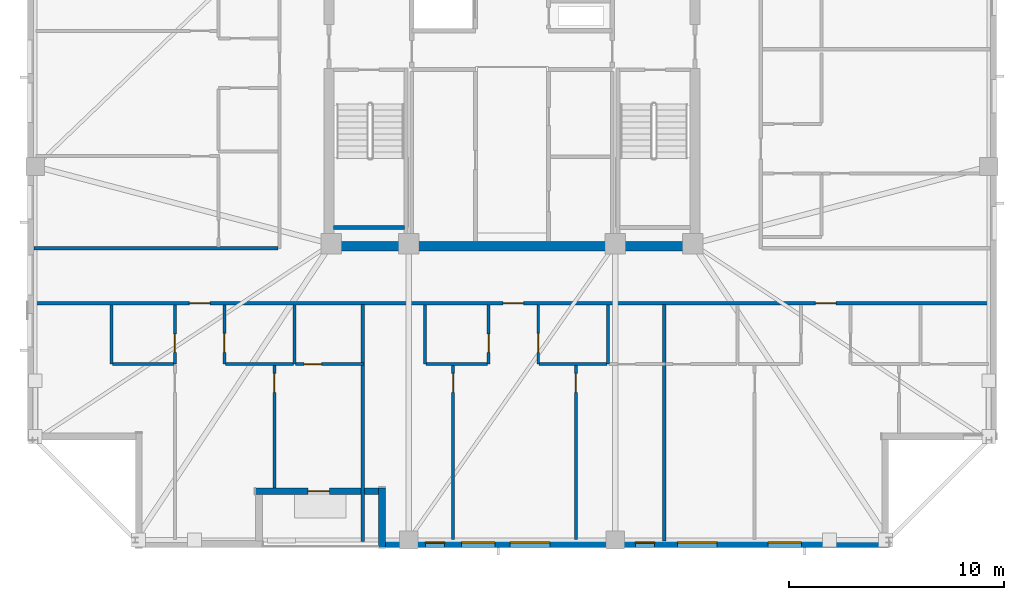
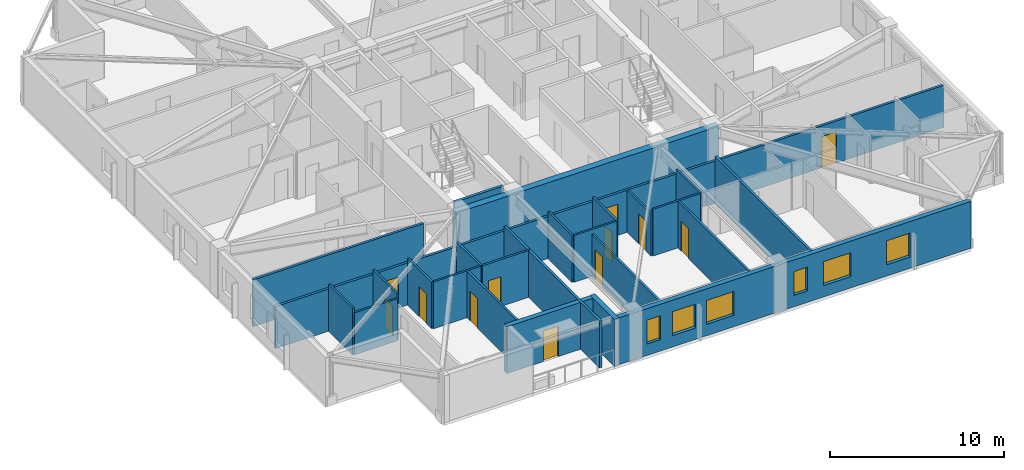
# One storey, part 7 of 17: 25 walls, 12 doors, 6 windows, 18 openings.
"""IFC4 building model written with IfcOpenShell, lengths in metres."""

from ifc_helpers import new_model, si_unit, direction, frame, frame_2d, origin, place, context, subcontext, project, spatial, rectangle, extrude, material, layer, layer_set, type_object, element, fill, save


model = new_model("IFC4")

# Units and contexts
model_context = context("Model", 3, precision=1e-05, world=origin(), true_north=direction((0.0, 1.0)))
body_context = subcontext(model_context, "Body", "Model", "MODEL_VIEW")
ifc_project = project(units=[si_unit("LENGTHUNIT", "METRE"), si_unit("AREAUNIT", "SQUARE_METRE"), si_unit("VOLUMEUNIT", "CUBIC_METRE"), si_unit("PLANEANGLEUNIT", "RADIAN"), si_unit("MASSUNIT", "GRAM", prefix="KILO")], contexts=[model_context])

# Site, building, storey
site_placement = place(None, origin())
site = spatial("IfcSite", under=ifc_project, at=site_placement, CompositionType="ELEMENT")
building_placement = place(site_placement, origin())
building = spatial("IfcBuilding", under=site, at=building_placement, Name="Cairnveth Concourse Tower", CompositionType="ELEMENT")
storey_placement = place(building_placement, frame((0.0, 0.0, 262.0)))
storey = spatial("IfcBuildingStorey", under=building, at=storey_placement, Name="L72", CompositionType="ELEMENT", Elevation=262.0)

# Wall, openings, doors
ifc_material_1 = material(Name="Gypsum Plasterboard Partition", Category="gypsum")
ifc_layer_1 = layer(ifc_material_1, 0.159912109375)
ifc_layer_set_1 = layer_set([ifc_layer_1], Name="Gypsum Plasterboard Partition")
wall_type_1 = type_object("IfcWallType", Name="ACOUSTIC PARTY WALL 180", PredefinedType="PARTITIONING", material=ifc_layer_set_1)
wall_1_placement = place(storey_placement, frame((29.804931640625, 27.847412109375, 0.0), z_axis=(0.0, 0.0, 1.0), x_axis=(1.0, 0.0, 0.0)))
wall_1 = element("IfcWall", 1, at=wall_1_placement, inside=storey, type_object=wall_type_1, Name="Interior Wall IW-L72-034", PredefinedType="PARTITIONING", context=body_context, shape_type="SweptSolid", body=[
    extrude(rectangle(XDim=44.39013671875, YDim=0.159912109375, at=frame_2d((22.195068359375, 0.0))), origin(), (0.0, 0.0, 1.0), 2.9580078125),
])
opening_1_placement = place(wall_1_placement, frame((7.206298828125, 0.0, 0.0)))
opening_1 = element("IfcOpeningElement", 2, at=opening_1_placement, cuts=wall_1, Name="Opening ID10", PredefinedType="OPENING", context=body_context, shape_type="SweptSolid", body=[
    extrude(rectangle(XDim=0.9599609375, YDim=2.179931640625, at=frame_2d((0.47998046875, 1.08984375))), frame((0.0, 0.08984375, 0.0), z_axis=(0.0, -1.0, 0.0), x_axis=(1.0, 0.0, 0.0)), (0.0, 0.0, 1.0), 0.179931640625),
])
opening_2_placement = place(wall_1_placement, frame((21.780029296875, 0.0, 0.0)))
opening_2 = element("IfcOpeningElement", 3, at=opening_2_placement, cuts=wall_1, Name="Opening ID10", PredefinedType="OPENING", context=body_context, shape_type="SweptSolid", body=[
    extrude(rectangle(XDim=0.9599609375, YDim=2.179931640625, at=frame_2d((0.47998046875, 1.08984375))), frame((0.0, 0.08984375, 0.0), z_axis=(0.0, -1.0, 0.0), x_axis=(1.0, 0.0, 0.0)), (0.0, 0.0, 1.0), 0.179931640625),
])
opening_3_placement = place(wall_1_placement, frame((36.288818359375, 0.0, 0.0)))
opening_3 = element("IfcOpeningElement", 4, at=opening_3_placement, cuts=wall_1, Name="Opening ID10", PredefinedType="OPENING", context=body_context, shape_type="SweptSolid", body=[
    extrude(rectangle(XDim=0.9599609375, YDim=2.179931640625, at=frame_2d((0.47998046875, 1.08984375))), frame((0.0, 0.08984375, 0.0), z_axis=(0.0, -1.0, 0.0), x_axis=(1.0, 0.0, 0.0)), (0.0, 0.0, 1.0), 0.179931640625),
])
ifc_material_2 = material(Name="Solid Core Hardwood Timber Leaf", Category="wood")
door_type_1 = type_object("IfcDoorType", Name="FLAT ENTRANCE DOOR 960X2150", OperationType="NOTDEFINED", PredefinedType="DOOR", material=ifc_material_2)
door_1_placement = place(opening_1_placement, origin())
door_1 = element("IfcDoor", 5, at=door_1_placement, inside=storey, type_object=door_type_1, Name="Apartment L72S1 Entrance Door", OperationType="SINGLE_SWING_RIGHT", OverallHeight=2.179931640625, OverallWidth=0.9599609375, PredefinedType="DOOR", context=body_context, shape_type="SweptSolid", body=[
    extrude(rectangle(XDim=0.9599609375, YDim=2.179931640625, at=frame_2d((0.47998046875, 1.08984375))), frame((0.0, 0.02490234375, 0.0), z_axis=(0.0, -1.0, 0.0), x_axis=(1.0, 0.0, 0.0)), (0.0, 0.0, 1.0), 0.050048828125),
])
fill(opening_1, door_1)
door_2_placement = place(opening_2_placement, origin())
door_2 = element("IfcDoor", 6, at=door_2_placement, inside=storey, type_object=door_type_1, Name="Apartment L72S2 Entrance Door", OperationType="SINGLE_SWING_RIGHT", OverallHeight=2.179931640625, OverallWidth=0.9599609375, PredefinedType="DOOR", context=body_context, shape_type="SweptSolid", body=[
    extrude(rectangle(XDim=0.9599609375, YDim=2.179931640625, at=frame_2d((0.47998046875, 1.08984375))), frame((0.0, 0.02490234375, 0.0), z_axis=(0.0, -1.0, 0.0), x_axis=(1.0, 0.0, 0.0)), (0.0, 0.0, 1.0), 0.050048828125),
])
fill(opening_2, door_2)
door_3_placement = place(opening_3_placement, origin())
door_3 = element("IfcDoor", 7, at=door_3_placement, inside=storey, type_object=door_type_1, Name="Apartment L72S3 Entrance Door", OperationType="SINGLE_SWING_LEFT", OverallHeight=2.179931640625, OverallWidth=0.9599609375, PredefinedType="DOOR", context=body_context, shape_type="SweptSolid", body=[
    extrude(rectangle(XDim=0.9599609375, YDim=2.179931640625, at=frame_2d((0.47998046875, 1.08984375))), frame((0.0, 0.02490234375, 0.0), z_axis=(0.0, -1.0, 0.0), x_axis=(1.0, 0.0, 0.0)), (0.0, 0.0, 1.0), 0.050048828125),
])
fill(opening_3, door_3)

# Walls
wall_2_placement = place(storey_placement, frame((29.804931640625, 30.39990234375, 0.0), z_axis=(0.0, 0.0, 1.0), x_axis=(1.0, 0.0, 0.0)))
element("IfcWall", 8, at=wall_2_placement, inside=storey, type_object=wall_type_1, Name="Interior Wall IW-L72-038", PredefinedType="PARTITIONING", context=body_context, shape_type="SweptSolid", body=[
    extrude(rectangle(XDim=11.330078125, YDim=0.159912109375, at=frame_2d((5.6650390625, 0.0))), origin(), (0.0, 0.0, 1.0), 3.2900390625),
])
wall_3_placement = place(storey_placement, frame((45.0625, 16.77001953125, 0.0), z_axis=(0.0, 0.0, 1.0), x_axis=(0.0, 1.0, 0.0)))
element("IfcWall", 9, at=wall_3_placement, inside=storey, type_object=wall_type_1, Name="Interior Wall IW-L72-051", PredefinedType="PARTITIONING", context=body_context, shape_type="SweptSolid", body=[
    extrude(rectangle(XDim=11.012451171875, YDim=0.159912109375, at=frame_2d((5.50634765625, 0.0))), origin(), (0.0, 0.0, 1.0), 3.2900390625),
])
wall_4_placement = place(storey_placement, frame((59.0673828125, 16.804931640625, 0.0), z_axis=(0.0, 0.0, 1.0), x_axis=(0.0, 1.0, 0.0)))
element("IfcWall", 10, at=wall_4_placement, inside=storey, type_object=wall_type_1, Name="Interior Wall IW-L72-061", PredefinedType="PARTITIONING", context=body_context, shape_type="SweptSolid", body=[
    extrude(rectangle(XDim=10.9775390625, YDim=0.159912109375, at=frame_2d((5.48876953125, 0.0))), origin(), (0.0, 0.0, 1.0), 3.2900390625),
])
ifc_material_3 = material(Name="Concrete N65 (65 MPa)", Category="concrete")
ifc_layer_2 = layer(ifc_material_3, 0.449951171875)
ifc_layer_set_2 = layer_set([ifc_layer_2], Name="Concrete N65 (65 MPa)")
wall_type_2 = type_object("IfcWallType", Name="CORE SHEAR WALL 450", PredefinedType="SHEAR", material=ifc_layer_set_2)
wall_5_placement = place(storey_placement, frame((43.27490234375, 30.5, 0.0), z_axis=(0.0, 0.0, 1.0), x_axis=(1.0, 0.0, 0.0)))
element("IfcWall", 11, at=wall_5_placement, inside=storey, type_object=wall_type_2, Name="Core South Shear Wall L72", PredefinedType="SHEAR", context=body_context, shape_type="SweptSolid", body=[
    extrude(rectangle(XDim=17.4501953125, YDim=0.449951171875, at=frame_2d((8.72509765625, 0.0))), origin(), (0.0, 0.0, 1.0), 3.2900390625),
])
ifc_material_4 = material(Name="Concrete N50 (50 MPa)", Category="concrete")
ifc_layer_3 = layer(ifc_material_4, 0.179931640625)
ifc_layer_set_3 = layer_set([ifc_layer_3], Name="Concrete N50 (50 MPa)")
wall_type_3 = type_object("IfcWallType", Name="FIRE SHAFT WALL 180", PredefinedType="SOLIDWALL", material=ifc_layer_set_3)
wall_6_placement = place(storey_placement, frame((43.715087890625, 31.360107421875, 0.0), z_axis=(0.0, 0.0, 1.0), x_axis=(1.0, 0.0, 0.0)))
element("IfcWall", 12, at=wall_6_placement, inside=storey, type_object=wall_type_3, Name="Stair ST-1 Shaft Wall FAR L72", PredefinedType="SOLIDWALL", context=body_context, shape_type="SweptSolid", body=[
    extrude(rectangle(XDim=3.280029296875, YDim=0.179931640625, at=frame_2d((1.64013671875, 0.0))), origin(), (0.0, 0.0, 1.0), 3.2900390625),
])

# Wall, opening, door
ifc_layer_4 = layer(ifc_material_1, 0.139892578125)
ifc_layer_set_4 = layer_set([ifc_layer_4], Name="Gypsum Plasterboard Partition")
wall_type_4 = type_object("IfcWallType", Name="GYPSUM STUD PARTITION 140", PredefinedType="PARTITIONING", material=ifc_layer_set_4)
wall_7_placement = place(storey_placement, frame((40.96240234375, 19.2548828125, 0.0), z_axis=(0.0, 0.0, 1.0), x_axis=(0.0, 1.0, 0.0)))
wall_7 = element("IfcWall", 13, at=wall_7_placement, inside=storey, type_object=wall_type_4, Name="Interior Wall IW-L72-049", PredefinedType="PARTITIONING", context=body_context, shape_type="SweptSolid", body=[
    extrude(rectangle(XDim=5.712646484375, YDim=0.139892578125, at=frame_2d((2.8564453125, 0.0))), origin(), (0.0, 0.0, 1.0), 3.2900390625),
])
opening_4_placement = place(wall_7_placement, frame((4.452392578125, 0.0, 0.0)))
opening_4 = element("IfcOpeningElement", 14, at=opening_4_placement, cuts=wall_7, Name="Opening ID18", PredefinedType="OPENING", context=body_context, shape_type="SweptSolid", body=[
    extrude(rectangle(XDim=0.8798828125, YDim=2.10009765625, at=frame_2d((0.43994140625, 1.050048828125))), frame((0.0, 0.079833984375, 0.0), z_axis=(0.0, -1.0, 0.0), x_axis=(1.0, 0.0, 0.0)), (0.0, 0.0, 1.0), 0.159912109375),
])
door_type_2 = type_object("IfcDoorType", Name="INTERIOR SINGLE DOOR 880X2100", OperationType="NOTDEFINED", PredefinedType="DOOR", material=ifc_material_2)
door_4_placement = place(opening_4_placement, origin())
door_4 = element("IfcDoor", 15, at=door_4_placement, inside=storey, type_object=door_type_2, Name="L72S1 Bedroom 2 Door", OperationType="SINGLE_SWING_LEFT", OverallHeight=2.10009765625, OverallWidth=0.8798828125, PredefinedType="DOOR", context=body_context, shape_type="SweptSolid", body=[
    extrude(rectangle(XDim=0.8798828125, YDim=2.10009765625, at=frame_2d((0.43994140625, 1.050048828125))), frame((0.0, 0.02490234375, 0.0), z_axis=(0.0, -1.0, 0.0), x_axis=(1.0, 0.0, 0.0)), (0.0, 0.0, 1.0), 0.050048828125),
])
fill(opening_4, door_4)

wall_8_placement = place(storey_placement, frame((41.941162109375, 25.017578125, 0.0), z_axis=(0.0, 0.0, 1.0), x_axis=(1.0, 0.0, 0.0)))
wall_8 = element("IfcWall", 16, at=wall_8_placement, inside=storey, type_object=wall_type_4, Name="Interior Wall IW-L72-050", PredefinedType="PARTITIONING", context=body_context, shape_type="SweptSolid", body=[
    extrude(rectangle(XDim=3.17138671875, YDim=0.139892578125, at=frame_2d((1.585693359375, 0.0))), origin(), (0.0, 0.0, 1.0), 3.2900390625),
])
opening_5_placement = place(wall_8_placement, frame((0.39990234375, 0.0, 0.0)))
opening_5 = element("IfcOpeningElement", 17, at=opening_5_placement, cuts=wall_8, Name="Opening ID22", PredefinedType="OPENING", context=body_context, shape_type="SweptSolid", body=[
    extrude(rectangle(XDim=0.820068359375, YDim=2.10009765625, at=frame_2d((0.41015625, 1.050048828125))), frame((0.0, 0.079833984375, 0.0), z_axis=(0.0, -1.0, 0.0), x_axis=(1.0, 0.0, 0.0)), (0.0, 0.0, 1.0), 0.159912109375),
])
door_type_3 = type_object("IfcDoorType", Name="INTERIOR WC DOOR 820X2100", OperationType="NOTDEFINED", PredefinedType="DOOR", material=ifc_material_2)
door_5_placement = place(opening_5_placement, origin())
door_5 = element("IfcDoor", 18, at=door_5_placement, inside=storey, type_object=door_type_3, Name="L72S1 Utility Door", OperationType="SINGLE_SWING_RIGHT", OverallHeight=2.10009765625, OverallWidth=0.820068359375, PredefinedType="DOOR", context=body_context, shape_type="SweptSolid", body=[
    extrude(rectangle(XDim=0.820068359375, YDim=2.10009765625, at=frame_2d((0.41015625, 1.050048828125))), frame((0.0, 0.02490234375, 0.0), z_axis=(0.0, -1.0, 0.0), x_axis=(1.0, 0.0, 0.0)), (0.0, 0.0, 1.0), 0.050048828125),
])
fill(opening_5, door_5)

wall_9_placement = place(storey_placement, frame((49.262451171875, 16.8798828125, 0.0), z_axis=(0.0, 0.0, 1.0), x_axis=(0.0, 1.0, 0.0)))
wall_9 = element("IfcWall", 19, at=wall_9_placement, inside=storey, type_object=wall_type_4, Name="Interior Wall IW-L72-058", PredefinedType="PARTITIONING", context=body_context, shape_type="SweptSolid", body=[
    extrude(rectangle(XDim=8.087646484375, YDim=0.139892578125, at=frame_2d((4.0439453125, 0.0))), origin(), (0.0, 0.0, 1.0), 2.9580078125),
])
opening_6_placement = place(wall_9_placement, frame((6.827392578125, 0.0, 0.0)))
opening_6 = element("IfcOpeningElement", 20, at=opening_6_placement, cuts=wall_9, Name="Opening ID18", PredefinedType="OPENING", context=body_context, shape_type="SweptSolid", body=[
    extrude(rectangle(XDim=0.8798828125, YDim=2.10009765625, at=frame_2d((0.43994140625, 1.050048828125))), frame((0.0, 0.079833984375, 0.0), z_axis=(0.0, -1.0, 0.0), x_axis=(1.0, 0.0, 0.0)), (0.0, 0.0, 1.0), 0.159912109375),
])
door_6_placement = place(opening_6_placement, origin())
door_6 = element("IfcDoor", 21, at=door_6_placement, inside=storey, type_object=door_type_2, Name="L72S2 Master Bedroom Door", OperationType="SINGLE_SWING_LEFT", OverallHeight=2.10009765625, OverallWidth=0.8798828125, PredefinedType="DOOR", context=body_context, shape_type="SweptSolid", body=[
    extrude(rectangle(XDim=0.8798828125, YDim=2.10009765625, at=frame_2d((0.43994140625, 1.050048828125))), frame((0.0, 0.02490234375, 0.0), z_axis=(0.0, -1.0, 0.0), x_axis=(1.0, 0.0, 0.0)), (0.0, 0.0, 1.0), 0.050048828125),
])
fill(opening_6, door_6)

wall_10_placement = place(storey_placement, frame((54.967529296875, 16.8798828125, 0.0), z_axis=(0.0, 0.0, 1.0), x_axis=(0.0, 1.0, 0.0)))
wall_10 = element("IfcWall", 22, at=wall_10_placement, inside=storey, type_object=wall_type_4, Name="Interior Wall IW-L72-059", PredefinedType="PARTITIONING", context=body_context, shape_type="SweptSolid", body=[
    extrude(rectangle(XDim=8.087646484375, YDim=0.139892578125, at=frame_2d((4.0439453125, 0.0))), origin(), (0.0, 0.0, 1.0), 3.2900390625),
])
opening_7_placement = place(wall_10_placement, frame((6.827392578125, 0.0, 0.0)))
opening_7 = element("IfcOpeningElement", 23, at=opening_7_placement, cuts=wall_10, Name="Opening ID18", PredefinedType="OPENING", context=body_context, shape_type="SweptSolid", body=[
    extrude(rectangle(XDim=0.8798828125, YDim=2.10009765625, at=frame_2d((0.43994140625, 1.050048828125))), frame((0.0, 0.079833984375, 0.0), z_axis=(0.0, -1.0, 0.0), x_axis=(1.0, 0.0, 0.0)), (0.0, 0.0, 1.0), 0.159912109375),
])
door_7_placement = place(opening_7_placement, origin())
door_7 = element("IfcDoor", 24, at=door_7_placement, inside=storey, type_object=door_type_2, Name="L72S2 Bedroom 2 Door", OperationType="SINGLE_SWING_LEFT", OverallHeight=2.10009765625, OverallWidth=0.8798828125, PredefinedType="DOOR", context=body_context, shape_type="SweptSolid", body=[
    extrude(rectangle(XDim=0.8798828125, YDim=2.10009765625, at=frame_2d((0.43994140625, 1.050048828125))), frame((0.0, 0.02490234375, 0.0), z_axis=(0.0, -1.0, 0.0), x_axis=(1.0, 0.0, 0.0)), (0.0, 0.0, 1.0), 0.050048828125),
])
fill(opening_7, door_7)

# Wall
ifc_layer_5 = layer(ifc_material_1, 0.1298828125)
ifc_layer_set_5 = layer_set([ifc_layer_5], Name="Gypsum Plasterboard Partition")
wall_type_5 = type_object("IfcWallType", Name="WET AREA PARTITION 140", PredefinedType="PLUMBINGWALL", material=ifc_layer_set_5)
wall_11_placement = place(storey_placement, frame((33.391357421875, 25.017578125, 0.0), z_axis=(0.0, 0.0, 1.0), x_axis=(0.0, 1.0, 0.0)))
element("IfcWall", 25, at=wall_11_placement, inside=storey, type_object=wall_type_5, Name="Interior Wall IW-L72-042", PredefinedType="PLUMBINGWALL", context=body_context, shape_type="SweptSolid", body=[
    extrude(rectangle(XDim=2.75, YDim=0.1298828125, at=frame_2d((1.375, 0.0))), origin(), (0.0, 0.0, 1.0), 3.2900390625),
])

# Wall, opening, door
wall_12_placement = place(storey_placement, frame((36.34130859375, 25.017578125, 0.0), z_axis=(0.0, 0.0, 1.0), x_axis=(0.0, 1.0, 0.0)))
wall_12 = element("IfcWall", 26, at=wall_12_placement, inside=storey, type_object=wall_type_5, Name="Interior Wall IW-L72-043", PredefinedType="PLUMBINGWALL", context=body_context, shape_type="SweptSolid", body=[
    extrude(rectangle(XDim=2.75, YDim=0.1298828125, at=frame_2d((1.375, 0.0))), origin(), (0.0, 0.0, 1.0), 3.2900390625),
])
opening_8_placement = place(wall_12_placement, frame((0.550048828125, 0.0, 0.0)))
opening_8 = element("IfcOpeningElement", 27, at=opening_8_placement, cuts=wall_12, Name="Opening ID21", PredefinedType="OPENING", context=body_context, shape_type="SweptSolid", body=[
    extrude(rectangle(XDim=0.85009765625, YDim=2.080078125, at=frame_2d((0.425048828125, 1.0400390625))), frame((0.0, 0.074951171875, 0.0), z_axis=(0.0, -1.0, 0.0), x_axis=(1.0, 0.0, 0.0)), (0.0, 0.0, 1.0), 0.14990234375),
])
door_type_4 = type_object("IfcDoorType", Name="INTERIOR WC DOOR 850X2100", OperationType="NOTDEFINED", PredefinedType="DOOR", material=ifc_material_2)
door_8_placement = place(opening_8_placement, origin())
door_8 = element("IfcDoor", 28, at=door_8_placement, inside=storey, type_object=door_type_4, Name="L72S1 Bathroom Door", OperationType="SINGLE_SWING_LEFT", OverallHeight=2.080078125, OverallWidth=0.85009765625, PredefinedType="DOOR", context=body_context, shape_type="SweptSolid", body=[
    extrude(rectangle(XDim=0.85009765625, YDim=2.080078125, at=frame_2d((0.425048828125, 1.0400390625))), frame((0.0, 0.02490234375, 0.0), z_axis=(0.0, -1.0, 0.0), x_axis=(1.0, 0.0, 0.0)), (0.0, 0.0, 1.0), 0.050048828125),
])
fill(opening_8, door_8)

# Walls
wall_13_placement = place(storey_placement, frame((33.44140625, 25.017578125, 0.0), z_axis=(0.0, 0.0, 1.0), x_axis=(1.0, 0.0, 0.0)))
element("IfcWall", 29, at=wall_13_placement, inside=storey, type_object=wall_type_5, Name="Interior Wall IW-L72-044", PredefinedType="PLUMBINGWALL", context=body_context, shape_type="SweptSolid", body=[
    extrude(rectangle(XDim=2.849853515625, YDim=0.1298828125, at=frame_2d((1.4248046875, 0.0))), origin(), (0.0, 0.0, 1.0), 2.9580078125),
])
wall_14_placement = place(storey_placement, frame((41.89111328125, 25.017578125, 0.0), z_axis=(0.0, 0.0, 1.0), x_axis=(0.0, 1.0, 0.0)))
element("IfcWall", 30, at=wall_14_placement, inside=storey, type_object=wall_type_5, Name="Interior Wall IW-L72-045", PredefinedType="PLUMBINGWALL", context=body_context, shape_type="SweptSolid", body=[
    extrude(rectangle(XDim=2.75, YDim=0.1298828125, at=frame_2d((1.375, 0.0))), origin(), (0.0, 0.0, 1.0), 3.2900390625),
])

# Wall, opening, door
wall_15_placement = place(storey_placement, frame((38.64111328125, 25.017578125, 0.0), z_axis=(0.0, 0.0, 1.0), x_axis=(0.0, 1.0, 0.0)))
wall_15 = element("IfcWall", 31, at=wall_15_placement, inside=storey, type_object=wall_type_5, Name="Interior Wall IW-L72-046", PredefinedType="PLUMBINGWALL", context=body_context, shape_type="SweptSolid", body=[
    extrude(rectangle(XDim=2.75, YDim=0.1298828125, at=frame_2d((1.375, 0.0))), origin(), (0.0, 0.0, 1.0), 3.2900390625),
])
opening_9_placement = place(wall_15_placement, frame((0.550048828125, 0.0, 0.0)))
opening_9 = element("IfcOpeningElement", 32, at=opening_9_placement, cuts=wall_15, Name="Opening ID18", PredefinedType="OPENING", context=body_context, shape_type="SweptSolid", body=[
    extrude(rectangle(XDim=0.8798828125, YDim=2.10009765625, at=frame_2d((0.43994140625, 1.050048828125))), frame((0.0, 0.074951171875, 0.0), z_axis=(0.0, -1.0, 0.0), x_axis=(1.0, 0.0, 0.0)), (0.0, 0.0, 1.0), 0.14990234375),
])
door_9_placement = place(opening_9_placement, origin())
door_9 = element("IfcDoor", 33, at=door_9_placement, inside=storey, type_object=door_type_2, Name="L72S1 Kitchen Door", OperationType="SINGLE_SWING_RIGHT", OverallHeight=2.10009765625, OverallWidth=0.8798828125, PredefinedType="DOOR", context=body_context, shape_type="SweptSolid", body=[
    extrude(rectangle(XDim=0.8798828125, YDim=2.10009765625, at=frame_2d((0.43994140625, 1.050048828125))), frame((0.0, 0.02490234375, 0.0), z_axis=(0.0, -1.0, 0.0), x_axis=(1.0, 0.0, 0.0)), (0.0, 0.0, 1.0), 0.050048828125),
])
fill(opening_9, door_9)

# Walls
wall_16_placement = place(storey_placement, frame((38.691162109375, 25.017578125, 0.0), z_axis=(0.0, 0.0, 1.0), x_axis=(1.0, 0.0, 0.0)))
element("IfcWall", 34, at=wall_16_placement, inside=storey, type_object=wall_type_5, Name="Interior Wall IW-L72-047", PredefinedType="PLUMBINGWALL", context=body_context, shape_type="SweptSolid", body=[
    extrude(rectangle(XDim=3.150146484375, YDim=0.1298828125, at=frame_2d((1.5751953125, 0.0))), origin(), (0.0, 0.0, 1.0), 3.2900390625),
])
wall_17_placement = place(storey_placement, frame((47.965087890625, 25.017578125, 0.0), z_axis=(0.0, 0.0, 1.0), x_axis=(0.0, 1.0, 0.0)))
element("IfcWall", 35, at=wall_17_placement, inside=storey, type_object=wall_type_5, Name="Interior Wall IW-L72-052", PredefinedType="PLUMBINGWALL", context=body_context, shape_type="SweptSolid", body=[
    extrude(rectangle(XDim=2.75, YDim=0.1298828125, at=frame_2d((1.375, 0.0))), origin(), (0.0, 0.0, 1.0), 3.2900390625),
])

# Wall, opening, door
wall_18_placement = place(storey_placement, frame((50.9150390625, 25.017578125, 0.0), z_axis=(0.0, 0.0, 1.0), x_axis=(0.0, 1.0, 0.0)))
wall_18 = element("IfcWall", 36, at=wall_18_placement, inside=storey, type_object=wall_type_5, Name="Interior Wall IW-L72-053", PredefinedType="PLUMBINGWALL", context=body_context, shape_type="SweptSolid", body=[
    extrude(rectangle(XDim=2.75, YDim=0.1298828125, at=frame_2d((1.375, 0.0))), origin(), (0.0, 0.0, 1.0), 3.2900390625),
])
opening_10_placement = place(wall_18_placement, frame((0.550048828125, 0.0, 0.0)))
opening_10 = element("IfcOpeningElement", 37, at=opening_10_placement, cuts=wall_18, Name="Opening ID21", PredefinedType="OPENING", context=body_context, shape_type="SweptSolid", body=[
    extrude(rectangle(XDim=0.85009765625, YDim=2.080078125, at=frame_2d((0.425048828125, 1.0400390625))), frame((0.0, 0.074951171875, 0.0), z_axis=(0.0, -1.0, 0.0), x_axis=(1.0, 0.0, 0.0)), (0.0, 0.0, 1.0), 0.14990234375),
])
door_10_placement = place(opening_10_placement, origin())
door_10 = element("IfcDoor", 38, at=door_10_placement, inside=storey, type_object=door_type_4, Name="L72S2 Bathroom Door", OperationType="SINGLE_SWING_LEFT", OverallHeight=2.080078125, OverallWidth=0.85009765625, PredefinedType="DOOR", context=body_context, shape_type="SweptSolid", body=[
    extrude(rectangle(XDim=0.85009765625, YDim=2.080078125, at=frame_2d((0.425048828125, 1.0400390625))), frame((0.0, 0.02490234375, 0.0), z_axis=(0.0, -1.0, 0.0), x_axis=(1.0, 0.0, 0.0)), (0.0, 0.0, 1.0), 0.050048828125),
])
fill(opening_10, door_10)

# Walls
wall_19_placement = place(storey_placement, frame((48.014892578125, 25.017578125, 0.0), z_axis=(0.0, 0.0, 1.0), x_axis=(1.0, 0.0, 0.0)))
element("IfcWall", 39, at=wall_19_placement, inside=storey, type_object=wall_type_5, Name="Interior Wall IW-L72-054", PredefinedType="PLUMBINGWALL", context=body_context, shape_type="SweptSolid", body=[
    extrude(rectangle(XDim=2.85009765625, YDim=0.1298828125, at=frame_2d((1.425048828125, 0.0))), origin(), (0.0, 0.0, 1.0), 3.2900390625),
])
wall_20_placement = place(storey_placement, frame((56.465087890625, 25.017578125, 0.0), z_axis=(0.0, 0.0, 1.0), x_axis=(0.0, 1.0, 0.0)))
element("IfcWall", 40, at=wall_20_placement, inside=storey, type_object=wall_type_5, Name="Interior Wall IW-L72-055", PredefinedType="PLUMBINGWALL", context=body_context, shape_type="SweptSolid", body=[
    extrude(rectangle(XDim=2.75, YDim=0.1298828125, at=frame_2d((1.375, 0.0))), origin(), (0.0, 0.0, 1.0), 3.2900390625),
])

# Wall, opening, door
wall_21_placement = place(storey_placement, frame((53.215087890625, 25.017578125, 0.0), z_axis=(0.0, 0.0, 1.0), x_axis=(0.0, 1.0, 0.0)))
wall_21 = element("IfcWall", 41, at=wall_21_placement, inside=storey, type_object=wall_type_5, Name="Interior Wall IW-L72-056", PredefinedType="PLUMBINGWALL", context=body_context, shape_type="SweptSolid", body=[
    extrude(rectangle(XDim=2.75, YDim=0.1298828125, at=frame_2d((1.375, 0.0))), origin(), (0.0, 0.0, 1.0), 2.9580078125),
])
opening_11_placement = place(wall_21_placement, frame((0.550048828125, 0.0, 0.0)))
opening_11 = element("IfcOpeningElement", 42, at=opening_11_placement, cuts=wall_21, Name="Opening ID18", PredefinedType="OPENING", context=body_context, shape_type="SweptSolid", body=[
    extrude(rectangle(XDim=0.8798828125, YDim=2.10009765625, at=frame_2d((0.43994140625, 1.050048828125))), frame((0.0, 0.074951171875, 0.0), z_axis=(0.0, -1.0, 0.0), x_axis=(1.0, 0.0, 0.0)), (0.0, 0.0, 1.0), 0.14990234375),
])
door_11_placement = place(opening_11_placement, origin())
door_11 = element("IfcDoor", 43, at=door_11_placement, inside=storey, type_object=door_type_2, Name="L72S2 Kitchen Door", OperationType="SINGLE_SWING_RIGHT", OverallHeight=2.10009765625, OverallWidth=0.8798828125, PredefinedType="DOOR", context=body_context, shape_type="SweptSolid", body=[
    extrude(rectangle(XDim=0.8798828125, YDim=2.10009765625, at=frame_2d((0.43994140625, 1.050048828125))), frame((0.0, 0.02490234375, 0.0), z_axis=(0.0, -1.0, 0.0), x_axis=(1.0, 0.0, 0.0)), (0.0, 0.0, 1.0), 0.050048828125),
])
fill(opening_11, door_11)

# Wall
wall_22_placement = place(storey_placement, frame((53.264892578125, 25.017578125, 0.0), z_axis=(0.0, 0.0, 1.0), x_axis=(1.0, 0.0, 0.0)))
element("IfcWall", 44, at=wall_22_placement, inside=storey, type_object=wall_type_5, Name="Interior Wall IW-L72-057", PredefinedType="PLUMBINGWALL", context=body_context, shape_type="SweptSolid", body=[
    extrude(rectangle(XDim=3.150146484375, YDim=0.1298828125, at=frame_2d((1.5751953125, 0.0))), origin(), (0.0, 0.0, 1.0), 3.2900390625),
])

# Wall, openings, windows
ifc_material_5 = material(Name="Melbourne Buff Fired Clay Brick Masonry", Category="masonry")
ifc_layer_6 = layer(ifc_material_5, 0.320068359375)
ifc_layer_set_6 = layer_set([ifc_layer_6], Name="Melbourne Buff Fired Clay Brick Masonry")
wall_type_6 = type_object("IfcWallType", Name="ZONE 3 BRICK PIER SPANDREL WALL 320", PredefinedType="SOLIDWALL", material=ifc_layer_set_6)
wall_23_placement = place(storey_placement, frame((69.5, 16.659912109375, 0.0), z_axis=(0.0, 0.0, 1.0), x_axis=(-1.0, 0.0, 0.0)))
wall_23 = element("IfcWall", 45, at=wall_23_placement, inside=storey, type_object=wall_type_6, Name="Exterior Wall EW-L72-S12", PredefinedType="SOLIDWALL", context=body_context, shape_type="SweptSolid", body=[
    extrude(rectangle(XDim=23.402099609375, YDim=0.320068359375, at=frame_2d((11.701171875, 0.0))), origin(), (0.0, 0.0, 1.0), 3.2900390625),
])
opening_12_placement = place(wall_23_placement, frame((4.05517578125, 0.0, 0.800048828125)))
opening_12 = element("IfcOpeningElement", 46, at=opening_12_placement, cuts=wall_23, Name="Opening W07", PredefinedType="OPENING", context=body_context, shape_type="SweptSolid", body=[
    extrude(rectangle(XDim=1.550048828125, YDim=1.677978515625, at=frame_2d((0.77490234375, 0.8388671875))), frame((0.0, 0.169921875, 0.0), z_axis=(0.0, -1.0, 0.0), x_axis=(1.0, 0.0, 0.0)), (0.0, 0.0, 1.0), 0.340087890625),
])
opening_13_placement = place(wall_23_placement, frame((7.965576171875, 0.0, 0.800048828125)))
opening_13 = element("IfcOpeningElement", 47, at=opening_13_placement, cuts=wall_23, Name="Opening W08", PredefinedType="OPENING", context=body_context, shape_type="SweptSolid", body=[
    extrude(rectangle(XDim=1.85009765625, YDim=1.677978515625, at=frame_2d((0.925048828125, 0.8388671875))), frame((0.0, 0.169921875, 0.0), z_axis=(0.0, -1.0, 0.0), x_axis=(1.0, 0.0, 0.0)), (0.0, 0.0, 1.0), 0.340087890625),
])
opening_14_placement = place(wall_23_placement, frame((15.736328125, 0.0, 0.800048828125)))
opening_14 = element("IfcOpeningElement", 48, at=opening_14_placement, cuts=wall_23, Name="Opening W08", PredefinedType="OPENING", context=body_context, shape_type="SweptSolid", body=[
    extrude(rectangle(XDim=1.85009765625, YDim=1.677978515625, at=frame_2d((0.925048828125, 0.8388671875))), frame((0.0, 0.169921875, 0.0), z_axis=(0.0, -1.0, 0.0), x_axis=(1.0, 0.0, 0.0)), (0.0, 0.0, 1.0), 0.340087890625),
])
opening_15_placement = place(wall_23_placement, frame((18.296875, 0.0, 0.800048828125)))
opening_15 = element("IfcOpeningElement", 49, at=opening_15_placement, cuts=wall_23, Name="Opening W07", PredefinedType="OPENING", context=body_context, shape_type="SweptSolid", body=[
    extrude(rectangle(XDim=1.550048828125, YDim=1.677978515625, at=frame_2d((0.77490234375, 0.8388671875))), frame((0.0, 0.169921875, 0.0), z_axis=(0.0, -1.0, 0.0), x_axis=(1.0, 0.0, 0.0)), (0.0, 0.0, 1.0), 0.340087890625),
])
opening_16_placement = place(wall_23_placement, frame((20.6298828125, 0.0, 0.800048828125)))
opening_16 = element("IfcOpeningElement", 50, at=opening_16_placement, cuts=wall_23, Name="Opening W13", PredefinedType="OPENING", context=body_context, shape_type="SweptSolid", body=[
    extrude(rectangle(XDim=0.89990234375, YDim=1.677978515625, at=frame_2d((0.449951171875, 0.8388671875))), frame((0.0, 0.169921875, 0.0), z_axis=(0.0, -1.0, 0.0), x_axis=(1.0, 0.0, 0.0)), (0.0, 0.0, 1.0), 0.340087890625),
])
opening_17_placement = place(wall_23_placement, frame((10.8701171875, 0.0, 0.800048828125)))
opening_17 = element("IfcOpeningElement", 51, at=opening_17_placement, cuts=wall_23, Name="Opening W13", PredefinedType="OPENING", context=body_context, shape_type="SweptSolid", body=[
    extrude(rectangle(XDim=0.89990234375, YDim=1.677978515625, at=frame_2d((0.449951171875, 0.8388671875))), frame((0.0, 0.169921875, 0.0), z_axis=(0.0, -1.0, 0.0), x_axis=(1.0, 0.0, 0.0)), (0.0, 0.0, 1.0), 0.340087890625),
])
ifc_material_6 = material(Name="Double Glazed Low-E Clear Glass", Category="glass")
window_type_1 = type_object("IfcWindowType", Name="DEEP-SET APARTMENT LIVING WINDOW 1850X1850", PartitioningType="DOUBLE_PANEL_VERTICAL", PredefinedType="WINDOW", material=ifc_material_6)
window_1_placement = place(opening_13_placement, origin())
window_1 = element("IfcWindow", 52, at=window_1_placement, inside=storey, type_object=window_type_1, Name="Gothic Lancet Window L72-12-2", OverallHeight=1.677978515625, OverallWidth=1.85009765625, PartitioningType="SINGLE_PANEL", PredefinedType="WINDOW", context=body_context, shape_type="SweptSolid", body=[
    extrude(rectangle(XDim=1.85009765625, YDim=1.677978515625, at=frame_2d((0.925048828125, 0.8388671875))), frame((0.0, -0.050048828125, 0.0), z_axis=(0.0, -1.0, 0.0), x_axis=(1.0, 0.0, 0.0)), (0.0, 0.0, 1.0), 0.06005859375),
])
fill(opening_13, window_1)
window_2_placement = place(opening_14_placement, origin())
window_2 = element("IfcWindow", 53, at=window_2_placement, inside=storey, type_object=window_type_1, Name="Gothic Lancet Window L72-12-4", OverallHeight=1.677978515625, OverallWidth=1.85009765625, PartitioningType="SINGLE_PANEL", PredefinedType="WINDOW", context=body_context, shape_type="SweptSolid", body=[
    extrude(rectangle(XDim=1.85009765625, YDim=1.677978515625, at=frame_2d((0.925048828125, 0.8388671875))), frame((0.0, -0.050048828125, 0.0), z_axis=(0.0, -1.0, 0.0), x_axis=(1.0, 0.0, 0.0)), (0.0, 0.0, 1.0), 0.06005859375),
])
fill(opening_14, window_2)
window_type_2 = type_object("IfcWindowType", Name="DEEP-SET APARTMENT WINDOW 1550X1800", PartitioningType="DOUBLE_PANEL_VERTICAL", PredefinedType="WINDOW", material=ifc_material_6)
window_3_placement = place(opening_12_placement, origin())
window_3 = element("IfcWindow", 54, at=window_3_placement, inside=storey, type_object=window_type_2, Name="Gothic Lancet Window L72-12-1", OverallHeight=1.677978515625, OverallWidth=1.550048828125, PartitioningType="SINGLE_PANEL", PredefinedType="WINDOW", context=body_context, shape_type="SweptSolid", body=[
    extrude(rectangle(XDim=1.550048828125, YDim=1.677978515625, at=frame_2d((0.77490234375, 0.8388671875))), frame((0.0, -0.050048828125, 0.0), z_axis=(0.0, -1.0, 0.0), x_axis=(1.0, 0.0, 0.0)), (0.0, 0.0, 1.0), 0.06005859375),
])
fill(opening_12, window_3)
window_4_placement = place(opening_15_placement, origin())
window_4 = element("IfcWindow", 55, at=window_4_placement, inside=storey, type_object=window_type_2, Name="Gothic Lancet Window L72-12-5", OverallHeight=1.677978515625, OverallWidth=1.550048828125, PartitioningType="SINGLE_PANEL", PredefinedType="WINDOW", context=body_context, shape_type="SweptSolid", body=[
    extrude(rectangle(XDim=1.550048828125, YDim=1.677978515625, at=frame_2d((0.77490234375, 0.8388671875))), frame((0.0, -0.050048828125, 0.0), z_axis=(0.0, -1.0, 0.0), x_axis=(1.0, 0.0, 0.0)), (0.0, 0.0, 1.0), 0.06005859375),
])
fill(opening_15, window_4)
window_type_3 = type_object("IfcWindowType", Name="DEEP-SET BEDROOM LANCET WINDOW 900X1750", PartitioningType="DOUBLE_PANEL_VERTICAL", PredefinedType="WINDOW", material=ifc_material_6)
window_5_placement = place(opening_16_placement, origin())
window_5 = element("IfcWindow", 56, at=window_5_placement, inside=storey, type_object=window_type_3, Name="Dwelling Lancet Window L72-DW1", OverallHeight=1.677978515625, OverallWidth=0.89990234375, PartitioningType="SINGLE_PANEL", PredefinedType="WINDOW", context=body_context, shape_type="SweptSolid", body=[
    extrude(rectangle(XDim=0.89990234375, YDim=1.677978515625, at=frame_2d((0.449951171875, 0.8388671875))), frame((0.0, -0.0400390625, 0.0), z_axis=(0.0, -1.0, 0.0), x_axis=(1.0, 0.0, 0.0)), (0.0, 0.0, 1.0), 0.06005859375),
])
fill(opening_16, window_5)
window_6_placement = place(opening_17_placement, origin())
window_6 = element("IfcWindow", 57, at=window_6_placement, inside=storey, type_object=window_type_3, Name="Dwelling Lancet Window L72-DW2", OverallHeight=1.677978515625, OverallWidth=0.89990234375, PartitioningType="SINGLE_PANEL", PredefinedType="WINDOW", context=body_context, shape_type="SweptSolid", body=[
    extrude(rectangle(XDim=0.89990234375, YDim=1.677978515625, at=frame_2d((0.449951171875, 0.8388671875))), frame((0.0, -0.0400390625, 0.0), z_axis=(0.0, -1.0, 0.0), x_axis=(1.0, 0.0, 0.0)), (0.0, 0.0, 1.0), 0.06005859375),
])
fill(opening_17, window_6)

# Wall
wall_24_placement = place(storey_placement, frame((45.9599609375, 16.5, 0.0), z_axis=(0.0, 0.0, 1.0), x_axis=(0.0, 1.0, 0.0)))
element("IfcWall", 58, at=wall_24_placement, inside=storey, type_object=wall_type_6, Name="Exterior Wall EW-L72-S13", PredefinedType="SOLIDWALL", context=body_context, shape_type="SweptSolid", body=[
    extrude(rectangle(XDim=2.77001953125, YDim=0.320068359375, at=frame_2d((1.385009765625, 0.0))), origin(), (0.0, 0.0, 1.0), 3.2900390625),
])

# Wall, opening, door
wall_25_placement = place(storey_placement, frame((45.822021484375, 19.110107421875, 0.0), z_axis=(0.0, 0.0, 1.0), x_axis=(-1.0, 0.0, 0.0)))
wall_25 = element("IfcWall", 59, at=wall_25_placement, inside=storey, type_object=wall_type_6, Name="Exterior Wall EW-L72-S14", PredefinedType="SOLIDWALL", context=body_context, shape_type="SweptSolid", body=[
    extrude(rectangle(XDim=5.741943359375, YDim=0.320068359375, at=frame_2d((2.87109375, 0.0))), origin(), (0.0, 0.0, 1.0), 3.2900390625),
])
opening_18_placement = place(wall_25_placement, frame((2.3095703125, 0.0, 0.0)))
opening_18 = element("IfcOpeningElement", 60, at=opening_18_placement, cuts=wall_25, Name="Opening ED4", PredefinedType="OPENING", context=body_context, shape_type="SweptSolid", body=[
    extrude(rectangle(XDim=1.0, YDim=2.14990234375, at=frame_2d((0.5, 1.074951171875))), frame((0.0, 0.169921875, 0.0), z_axis=(0.0, -1.0, 0.0), x_axis=(1.0, 0.0, 0.0)), (0.0, 0.0, 1.0), 0.340087890625),
])
ifc_material_7 = material(Name="Architectural Bronze Anodised Aluminium 6063-T6", Category="aluminium")
door_type_5 = type_object("IfcDoorType", Name="TERRACE GLAZED DOOR 1000X2150", OperationType="NOTDEFINED", PredefinedType="DOOR", material=ifc_material_7)
door_12_placement = place(opening_18_placement, origin())
door_12 = element("IfcDoor", 61, at=door_12_placement, inside=storey, type_object=door_type_5, Name="Spiral Terrace Door L72", OperationType="SINGLE_SWING_LEFT", OverallHeight=2.14990234375, OverallWidth=1.0, PredefinedType="DOOR", context=body_context, shape_type="SweptSolid", body=[
    extrude(rectangle(XDim=1.0, YDim=2.14990234375, at=frame_2d((0.5, 1.074951171875))), frame((0.0, 0.02490234375, 0.0), z_axis=(0.0, -1.0, 0.0), x_axis=(1.0, 0.0, 0.0)), (0.0, 0.0, 1.0), 0.050048828125),
])
fill(opening_18, door_12)

save(model, "model.ifc")
